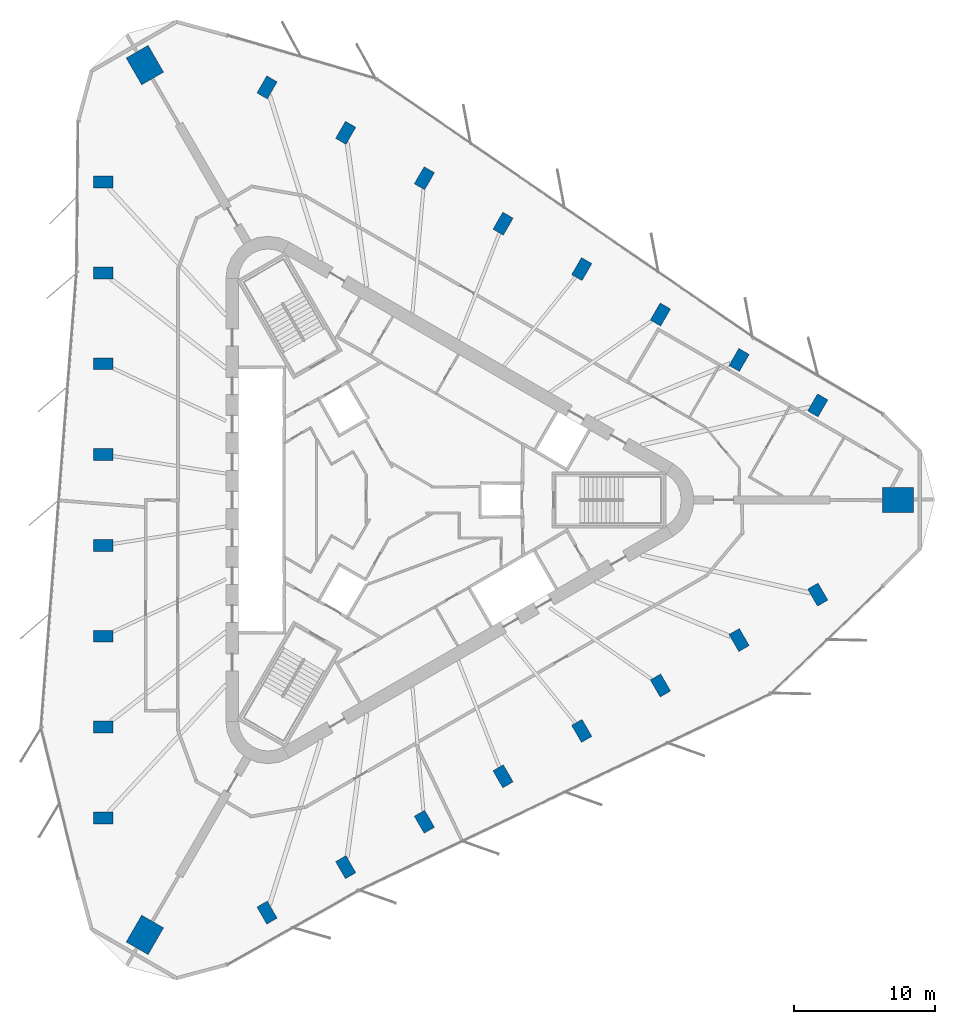
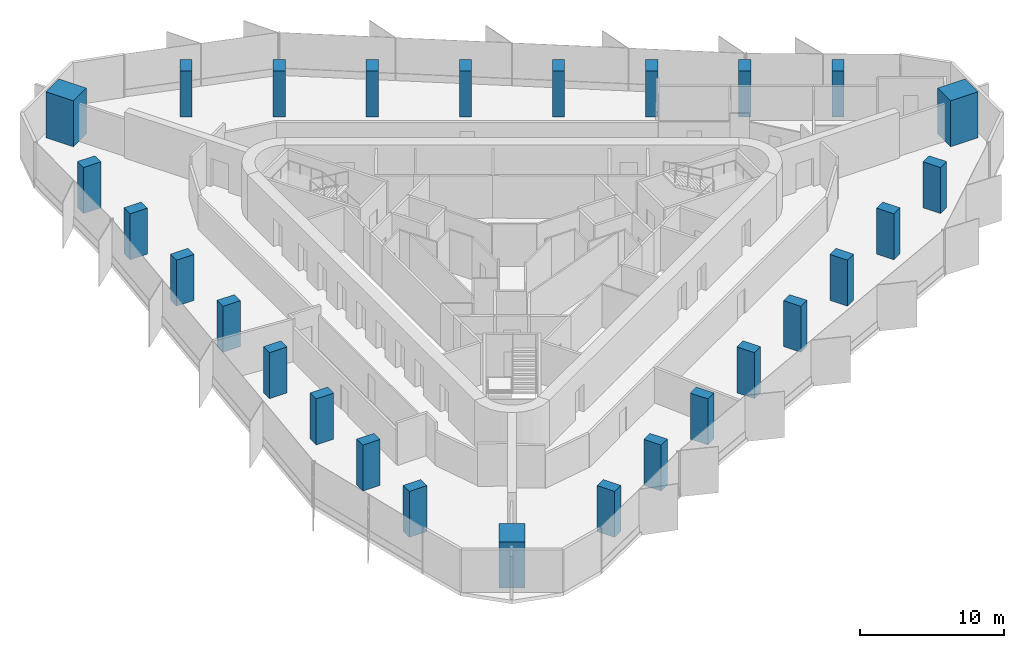
# One storey, part 1 of 14: 27 columns.
"""IFC4 building model written with IfcOpenShell, lengths in metres."""

from ifc_helpers import new_model, si_unit, direction, frame, origin, origin_2d, place, context, subcontext, project, spatial, rectangle, extrude, material, material_profile, profile_set, type_object, element, save


model = new_model("IFC4")

# Units and contexts
model_context = context("Model", 3, precision=1e-05, world=origin(), true_north=direction((0.0, 1.0)))
body_context = subcontext(model_context, "Body", "Model", "MODEL_VIEW")
ifc_project = project(units=[si_unit("LENGTHUNIT", "METRE"), si_unit("AREAUNIT", "SQUARE_METRE"), si_unit("VOLUMEUNIT", "CUBIC_METRE"), si_unit("PLANEANGLEUNIT", "RADIAN"), si_unit("MASSUNIT", "GRAM", prefix="KILO")], contexts=[model_context])

# Site, building, storey
site_placement = place(None, origin())
site = spatial("IfcSite", under=ifc_project, at=site_placement, CompositionType="ELEMENT")
building_placement = place(site_placement, origin())
building = spatial("IfcBuilding", under=site, at=building_placement, Name="Tanit Gate Tower", CompositionType="ELEMENT")
storey_placement = place(building_placement, frame((0.0, 0.0, 306.5)))
storey = spatial("IfcBuildingStorey", under=building, at=storey_placement, Name="L68", CompositionType="ELEMENT", Elevation=306.5)

# Columns
ifc_material_1 = material(Name="Concrete C50/60", Category="concrete")
ifc_material_profile_1 = material_profile(ifc_material_1, rectangle(XDim=2.199951171875, YDim=1.800048828125, at=origin_2d()), Name="RC 2200x1800")
ifc_profile_set_1 = profile_set([ifc_material_profile_1], Name="Concrete C50/60")
column_type_1 = type_object("IfcColumnType", Name="MEGA COLUMN 2200x1800 C50/60", PredefinedType="COLUMN", material=ifc_profile_set_1)
for number, where, z_axis, x_axis, name in (
    (1, (35.730712890625, 0.0, 0.0), (0.0, 0.0, 1.0), (1.0, 0.0, 0.0), "MEGA COLUMN"),
    (2, (-17.865478515625, 30.943603515625, 0.0), (0.0, 0.0, 1.0), (-0.5, 0.866025403784, 0.0), "MEGA COLUMN"),
    (3, (-17.865478515625, -30.943603515625, 0.0), (0.0, 0.0, 1.0), (-0.5, -0.866025403784, 0.0), "MEGA COLUMN"),
):
    element("IfcColumn", number, at=place(storey_placement, frame(where, z_axis=z_axis, x_axis=x_axis)), inside=storey, type_object=column_type_1, Name=name, PredefinedType="COLUMN", context=body_context, shape_type="SweptSolid", body=[
        extrude(rectangle(XDim=2.199951171875, YDim=1.800048828125, at=origin_2d()), origin(), (0.0, 0.0, 1.0), 3.89990234375),
    ])
ifc_material_2 = material(Name="Concrete C40/50", Category="concrete")
ifc_material_profile_2 = material_profile(ifc_material_2, rectangle(XDim=1.39990234375, YDim=0.85009765625, at=origin_2d()), Name="RC 1400x850")
ifc_profile_set_2 = profile_set([ifc_material_profile_2], Name="Concrete C40/50")
column_type_2 = type_object("IfcColumnType", Name="PERIMETER COLUMN 1400x850 C40/50", PredefinedType="COLUMN", material=ifc_profile_set_2)
for number, where, z_axis, x_axis, name in (
    (4, (-20.83544921875, 22.62353515625, 0.0), (0.0, 0.0, 1.0), (-1.0, 0.0, 0.0), "PERIMETER COLUMN"),
    (5, (-20.83544921875, 16.15966796875, 0.0), (0.0, 0.0, 1.0), (-1.0, 0.0, 0.0), "PERIMETER COLUMN"),
    (6, (-20.83544921875, 9.69580078125, 0.0), (0.0, 0.0, 1.0), (-1.0, 0.0, 0.0), "PERIMETER COLUMN"),
    (7, (-20.83544921875, 3.23193359375, 0.0), (0.0, 0.0, 1.0), (-1.0, 0.0, 0.0), "PERIMETER COLUMN"),
    (8, (-20.83544921875, -3.23193359375, 0.0), (0.0, 0.0, 1.0), (-1.0, 0.0, 0.0), "PERIMETER COLUMN"),
    (9, (-20.83544921875, -9.69580078125, 0.0), (0.0, 0.0, 1.0), (-1.0, 0.0, 0.0), "PERIMETER COLUMN"),
    (10, (-20.83544921875, -16.15966796875, 0.0), (0.0, 0.0, 1.0), (-1.0, 0.0, 0.0), "PERIMETER COLUMN"),
    (11, (-20.83544921875, -22.62353515625, 0.0), (0.0, 0.0, 1.0), (-1.0, 0.0, 0.0), "PERIMETER COLUMN"),
    (12, (30.010498046875, 6.732177734375, 0.0), (0.0, 0.0, 1.0), (0.5, 0.866025403784, 0.0), "PERIMETER COLUMN"),
    (13, (24.41259765625, 9.964111328125, 0.0), (0.0, 0.0, 1.0), (0.5, 0.866025403784, 0.0), "PERIMETER COLUMN"),
    (14, (18.814697265625, 13.196044921875, 0.0), (0.0, 0.0, 1.0), (0.5, 0.866025403784, 0.0), "PERIMETER COLUMN"),
    (15, (13.216796875, 16.427978515625, 0.0), (0.0, 0.0, 1.0), (0.5, 0.866025403784, 0.0), "PERIMETER COLUMN"),
    (16, (7.618896484375, 19.659912109375, 0.0), (0.0, 0.0, 1.0), (0.5, 0.866025403784, 0.0), "PERIMETER COLUMN"),
    (17, (2.02099609375, 22.89208984375, 0.0), (0.0, 0.0, 1.0), (0.5, 0.866025403784, 0.0), "PERIMETER COLUMN"),
    (18, (-3.576904296875, 26.123779296875, 0.0), (0.0, 0.0, 1.0), (0.5, 0.866025403784, 0.0), "PERIMETER COLUMN"),
    (19, (-9.1748046875, 29.35595703125, 0.0), (0.0, 0.0, 1.0), (0.5, 0.866025403784, 0.0), "PERIMETER COLUMN"),
    (20, (-9.1748046875, -29.35595703125, 0.0), (0.0, 0.0, 1.0), (0.5, -0.866025403784, 0.0), "PERIMETER COLUMN"),
    (21, (-3.576904296875, -26.123779296875, 0.0), (0.0, 0.0, 1.0), (0.5, -0.866025403784, 0.0), "PERIMETER COLUMN"),
    (22, (2.02099609375, -22.89208984375, 0.0), (0.0, 0.0, 1.0), (0.5, -0.866025403784, 0.0), "PERIMETER COLUMN"),
    (23, (7.618896484375, -19.659912109375, 0.0), (0.0, 0.0, 1.0), (0.5, -0.866025403784, 0.0), "PERIMETER COLUMN"),
    (24, (13.216796875, -16.427978515625, 0.0), (0.0, 0.0, 1.0), (0.5, -0.866025403784, 0.0), "PERIMETER COLUMN"),
    (25, (18.814697265625, -13.196044921875, 0.0), (0.0, 0.0, 1.0), (0.5, -0.866025403784, 0.0), "PERIMETER COLUMN"),
    (26, (24.41259765625, -9.964111328125, 0.0), (0.0, 0.0, 1.0), (0.5, -0.866025403784, 0.0), "PERIMETER COLUMN"),
    (27, (30.010498046875, -6.732177734375, 0.0), (0.0, 0.0, 1.0), (0.5, -0.866025403784, 0.0), "PERIMETER COLUMN"),
):
    element("IfcColumn", number, at=place(storey_placement, frame(where, z_axis=z_axis, x_axis=x_axis)), inside=storey, type_object=column_type_2, Name=name, PredefinedType="COLUMN", context=body_context, shape_type="SweptSolid", body=[
        extrude(rectangle(XDim=1.39990234375, YDim=0.85009765625, at=origin_2d()), origin(), (0.0, 0.0, 1.0), 3.89990234375),
    ])

save(model, "model.ifc")
